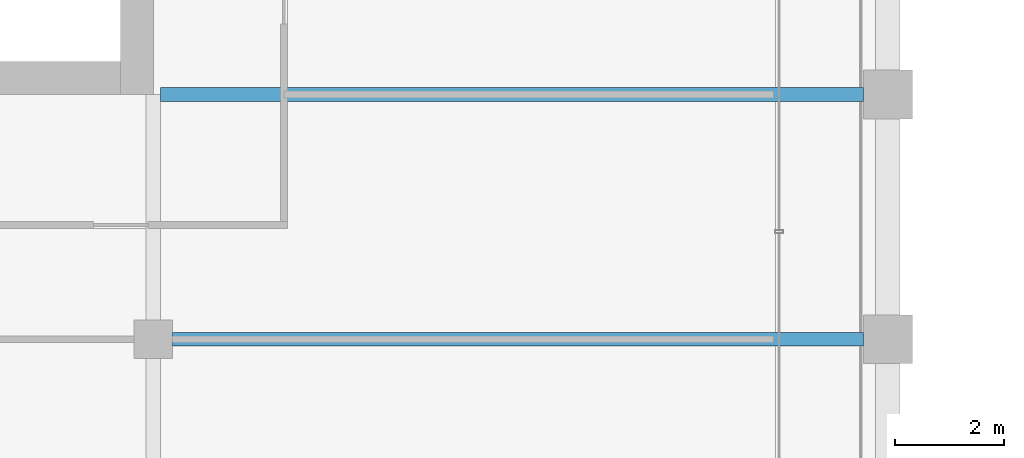
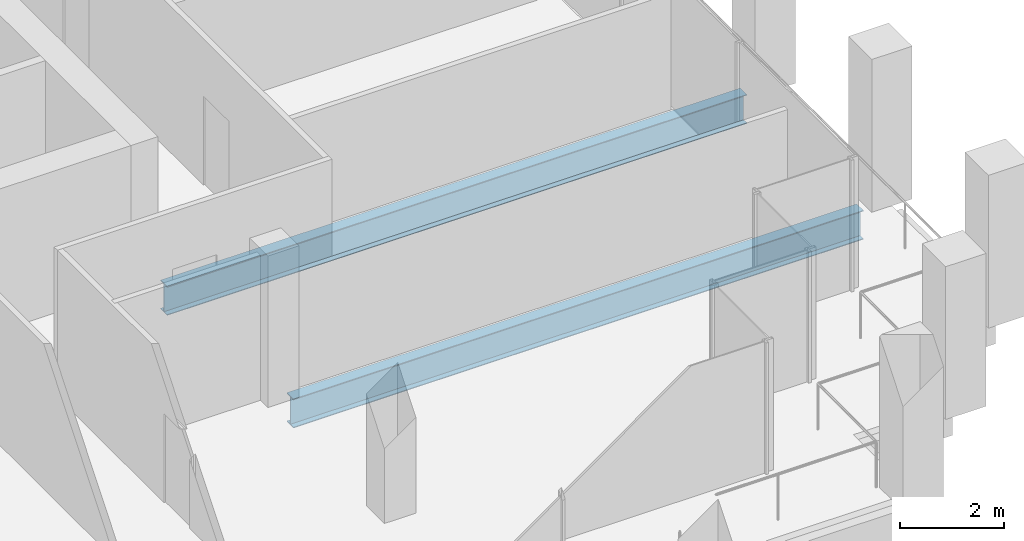
# One storey, part 14 of 40: 2 beams.
"""IFC4 building model written with IfcOpenShell, lengths in metres."""

from ifc_helpers import new_model, si_unit, direction, frame, origin, origin_2d, place, context, subcontext, project, spatial, i_section, extrude, material, material_profile, profile_set, type_object, element, save


model = new_model("IFC4")

# Units and contexts
model_context = context("Model", 3, precision=1e-05, world=origin(), true_north=direction((0.0, 1.0)))
body_context = subcontext(model_context, "Body", "Model", "MODEL_VIEW")
ifc_project = project(units=[si_unit("LENGTHUNIT", "METRE"), si_unit("AREAUNIT", "SQUARE_METRE"), si_unit("VOLUMEUNIT", "CUBIC_METRE"), si_unit("PLANEANGLEUNIT", "RADIAN"), si_unit("MASSUNIT", "GRAM", prefix="KILO")], contexts=[model_context])

# Site, building, storey
site_placement = place(None, origin())
site = spatial("IfcSite", under=ifc_project, at=site_placement, CompositionType="ELEMENT")
building_placement = place(site_placement, origin())
building = spatial("IfcBuilding", under=site, at=building_placement, Name="Altepetl Exchange Towers", CompositionType="ELEMENT")
storey_placement = place(building_placement, frame((0.0, 0.0, 179.800048828125)))
storey = spatial("IfcBuildingStorey", under=building, at=storey_placement, Name="L45", CompositionType="ELEMENT", Elevation=179.800048828125)

# Beams
ifc_material = material(Name="Steel S355", Category="steel")
ifc_material_profile = material_profile(ifc_material, i_section(OverallWidth=0.25390625, OverallDepth=0.68408203125, WebThickness=0.012451171875, FlangeThickness=0.018798828125, at=origin_2d()), Name="W27X94")
ifc_profile_set = profile_set([ifc_material_profile], Name="Steel S355")
beam_type = type_object("IfcBeamType", Name="Floor beam W27X94", PredefinedType="BEAM", material=ifc_profile_set)
beam_1_placement = place(storey_placement, frame((58.85009765625, 36.0, -0.491943359375), z_axis=(1.0, 0.0, 0.0), x_axis=(0.0, 1.0, 0.0)))
element("IfcBeam", 1, at=beam_1_placement, inside=storey, type_object=beam_type, Name="bm:A:L45:007", PredefinedType="BEAM", context=body_context, shape_type="SweptSolid", body=[
    extrude(i_section(OverallWidth=0.25390625, OverallDepth=0.68408203125, WebThickness=0.012451171875, FlangeThickness=0.018798828125, at=origin_2d()), origin(), (0.0, 0.0, 1.0), 12.699951171875),
])
beam_2_placement = place(storey_placement, frame((58.634033203125, 40.5, -0.491943359375), z_axis=(1.0, 0.0, 0.0), x_axis=(0.0, 1.0, 0.0)))
element("IfcBeam", 2, at=beam_2_placement, inside=storey, type_object=beam_type, Name="bm:A:L45:008", PredefinedType="BEAM", context=body_context, shape_type="SweptSolid", body=[
    extrude(i_section(OverallWidth=0.25390625, OverallDepth=0.68408203125, WebThickness=0.012451171875, FlangeThickness=0.018798828125, at=origin_2d()), origin(), (0.0, 0.0, 1.0), 12.916015625),
])

save(model, "model.ifc")
